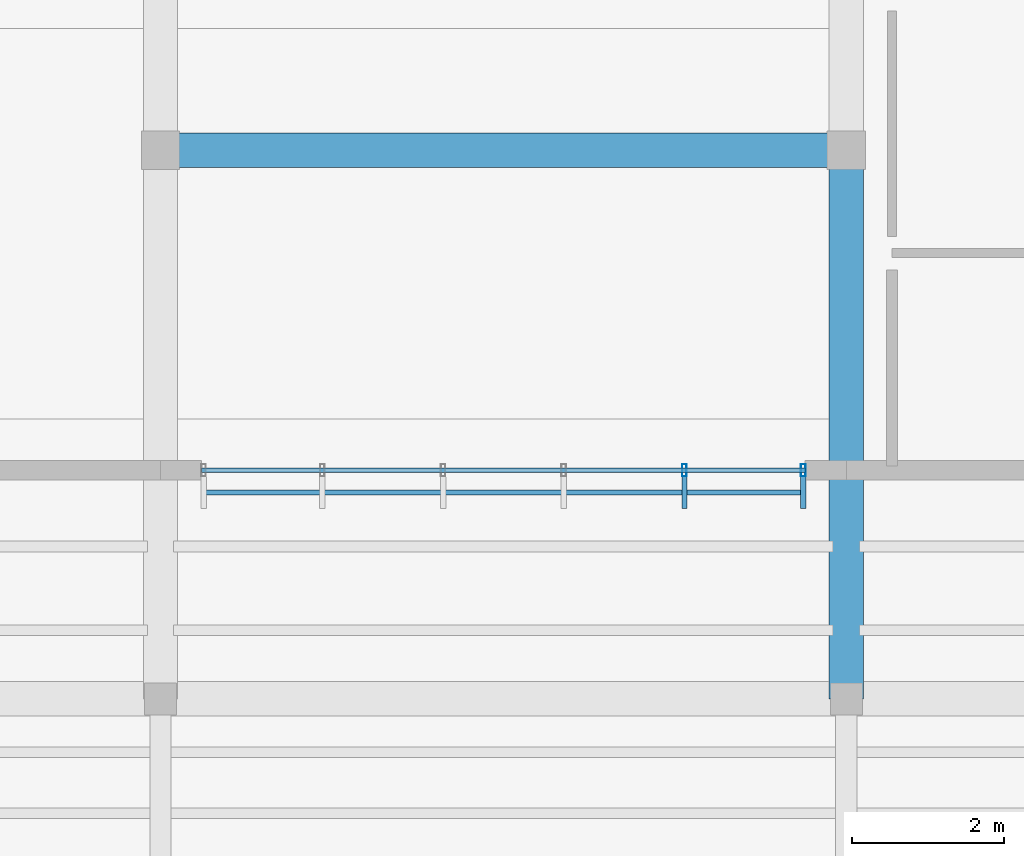
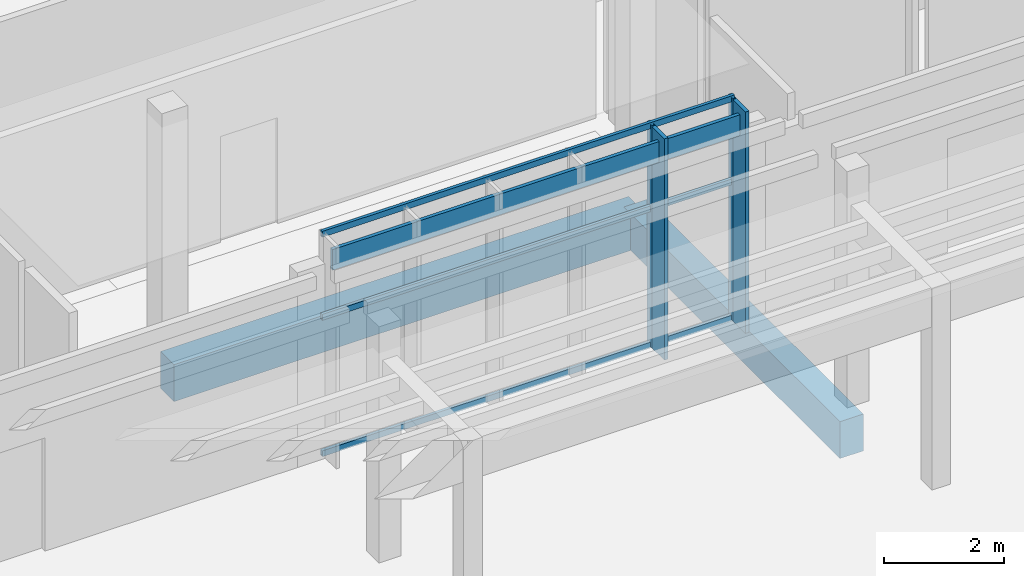
# One storey, part 35 of 151: 8 members, 2 beams, 1 element without a shape of its own.
"""IFC4 building model written with IfcOpenShell, lengths in metres."""

import ifcopenshell
import ifcopenshell.guid

model = None  # the IFC model being written
_history = None  # IfcOwnerHistory: only IFC2X3 demands one
_inside = {}  # id of a spatial element -> (the spatial element, [elements in it])
_under = {}  # id of a project, library or spatial element -> (it, [spatial elements below it])
_declared = {}  # id of a project -> (the project, [libraries it declares])
_typed = {}  # id of a type object -> (the type object, [elements of that type])
_made_of = {}  # id of a material, layer set ... -> (it, [elements and type objects made of it])


def new_model(schema):
    """Start an empty IFC model of exactly this schema.

    Asked for "IFC4X3", IfcOpenShell would pick the latest addendum, in which some entities
    have other attributes; the version numbers below select the first issue.
    IFC2X3 requires an IfcOwnerHistory on every rooted entity: one is made here for all.
    """
    global model, _history
    if schema == "IFC4X3":
        model = ifcopenshell.file(schema_version=(4, 3, 0, 0))
    else:
        model = ifcopenshell.file(schema=schema)
    _inside.clear()
    _under.clear()
    _declared.clear()
    _typed.clear()
    _made_of.clear()
    _history = None
    if model.schema == "IFC2X3":
        org = make("IfcOrganization", Name="unknown")
        user = make(
            "IfcPersonAndOrganization",
            ThePerson=make("IfcPerson", FamilyName="unknown"),
            TheOrganization=org,
        )
        app = make(
            "IfcApplication",
            ApplicationDeveloper=org,
            Version="unknown",
            ApplicationFullName="unknown",
            ApplicationIdentifier="unknown",
        )
        _history = make(
            "IfcOwnerHistory",
            OwningUser=user,
            OwningApplication=app,
            ChangeAction="ADDED",
            CreationDate=0,
        )
    return model


def make(cls, **values):
    """One entity of the class cls with the attributes given. An attribute that is None is left unset."""
    return model.create_entity(
        cls, **{name: value for name, value in values.items() if value is not None}
    )


def rooted(cls, **values):
    """An entity with a GlobalId (a new one), such as an element, a storey or a relation."""
    return make(cls, GlobalId=ifcopenshell.guid.new(), OwnerHistory=_history, **values)


def si_unit(unit_type, name, prefix=None):
    """IfcSIUnit, for example si_unit("LENGTHUNIT", "METRE", prefix="MILLI")."""
    return make("IfcSIUnit", UnitType=unit_type, Prefix=prefix, Name=name)


def assignment(units):
    """IfcUnitAssignment: the units of a project."""
    return None if units is None else make("IfcUnitAssignment", Units=units)


def point(xyz):
    """IfcCartesianPoint."""
    return None if xyz is None else make("IfcCartesianPoint", Coordinates=xyz)


def direction(xyz):
    """IfcDirection."""
    return None if xyz is None else make("IfcDirection", DirectionRatios=xyz)


def frame(location, z_axis=None, x_axis=None):
    """IfcAxis2Placement3D, a coordinate frame: its origin and axes. An axis left out is left unset."""
    return make(
        "IfcAxis2Placement3D",
        Location=point(location),
        Axis=direction(z_axis),
        RefDirection=direction(x_axis),
    )


def frame_2d(location, x_axis=None):
    """IfcAxis2Placement2D, a coordinate frame in the plane: its origin and x axis."""
    return make(
        "IfcAxis2Placement2D", Location=point(location), RefDirection=direction(x_axis)
    )


def origin():
    """The frame at (0, 0, 0) with its axes left unset."""
    return frame((0.0, 0.0, 0.0))


def origin_2d():
    """The frame at (0, 0) in the plane with its x axis left unset."""
    return frame_2d((0.0, 0.0))


def place(relative_to, where):
    """IfcLocalPlacement: puts the frame where relative to a parent placement (None: the world)."""
    return make(
        "IfcLocalPlacement", PlacementRelTo=relative_to, RelativePlacement=where
    )


def context(
    kind, dimensions, precision=None, world=None, true_north=None, identifier=None
):
    """IfcGeometricRepresentationContext, for example the 3D "Model" context."""
    return make(
        "IfcGeometricRepresentationContext",
        ContextIdentifier=identifier,
        ContextType=kind,
        CoordinateSpaceDimension=dimensions,
        Precision=precision,
        WorldCoordinateSystem=world,
        TrueNorth=true_north,
    )


def subcontext(parent, identifier, kind, view, scale=None):
    """IfcGeometricRepresentationSubContext, for example "Body" below "Model"."""
    return make(
        "IfcGeometricRepresentationSubContext",
        ContextIdentifier=identifier,
        ContextType=kind,
        ParentContext=parent,
        TargetScale=scale,
        TargetView=view,
    )


def project(units=None, contexts=None):
    """IfcProject with its units and contexts."""
    return rooted(
        "IfcProject",
        Name="project",
        RepresentationContexts=contexts,
        UnitsInContext=assignment(units),
    )


def spatial(cls, under=None, at=None, **own):
    """A site, building, storey or space (cls), placed at a placement, below another one or the project."""
    s = rooted(cls, ObjectPlacement=at, **own)
    if under is not None:
        _under.setdefault(under.id(), (under, []))[1].append(s)
    return s


def profile(cls, at=None, kind="AREA", **sizes):
    """A parametric profile (cls). Its sizes go by their IFC names, for example OverallWidth=200.0."""
    return make(cls, ProfileType=kind, Position=at, **sizes)


def rectangle(**sizes):
    """IfcRectangleProfileDef."""
    return profile("IfcRectangleProfileDef", **sizes)


def hollow_rectangle(**sizes):
    """IfcRectangleHollowProfileDef."""
    return profile("IfcRectangleHollowProfileDef", **sizes)


def extrude(swept, where, along, depth):
    """IfcExtrudedAreaSolid: the profile swept, set in the frame where, extruded along a direction by depth."""
    return make(
        "IfcExtrudedAreaSolid",
        SweptArea=swept,
        Position=where,
        ExtrudedDirection=direction(along),
        Depth=depth,
    )


def shape(context_of_items, identifier, shape_type, items):
    """IfcShapeRepresentation: the items that make up one representation, for example the "Body"."""
    return make(
        "IfcShapeRepresentation",
        ContextOfItems=context_of_items,
        RepresentationIdentifier=identifier,
        RepresentationType=shape_type,
        Items=items,
    )


def material(Name=None, Category=None):
    """IfcMaterial."""
    return make("IfcMaterial", Name=Name, Category=Category)


def material_profile(
    of_material, cross_section, Name=None, Category=None, Priority=None
):
    """IfcMaterialProfile: a cross section and its material."""
    return make(
        "IfcMaterialProfile",
        Name=Name,
        Material=of_material,
        Profile=cross_section,
        Priority=Priority,
        Category=Category,
    )


def profile_set(profiles, Name=None, composite=None):
    """IfcMaterialProfileSet."""
    return make(
        "IfcMaterialProfileSet",
        Name=Name,
        MaterialProfiles=profiles,
        CompositeProfile=composite,
    )


def made_of(thing, what):
    """Note that an element or type object is made of a material, layer set ...; save() writes the relation."""
    if what is not None:
        _made_of.setdefault(what.id(), (what, []))[1].append(thing)
    return thing


def type_object(cls, material=None, **own):
    """A type object (cls), such as IfcWallType, which elements share."""
    return made_of(rooted(cls, **own), material)


def element(
    cls,
    number,
    at=None,
    inside=None,
    cuts=None,
    type_object=None,
    material=None,
    context=None,
    identifier="Body",
    shape_type=None,
    held_by="IfcProductDefinitionShape",
    body=None,
    shapes=None,
    **own,
):
    """One element of the class cls, such as IfcWall. Its Tag is "e" and its number.

    at: its placement. inside: the storey or other place that contains it. cuts: it is an
    opening in that element (IfcRelVoidsElement). A single representation is given by context,
    identifier, shape_type and body (its items); several are given by shapes. held_by: the class
    of the entity that holds the representations. save() writes the other relations.
    """
    e = rooted(cls, Tag="e%d" % number, ObjectPlacement=at, **own)
    if body is not None:
        shapes = [shape(context, identifier, shape_type, body)]
    if shapes is not None:
        e.Representation = make(held_by, Representations=shapes)
    if inside is not None:
        _inside.setdefault(inside.id(), (inside, []))[1].append(e)
    if cuts is not None:
        rooted(
            "IfcRelVoidsElement", RelatingBuildingElement=cuts, RelatedOpeningElement=e
        )
    if type_object is not None:
        _typed.setdefault(type_object.id(), (type_object, []))[1].append(e)
    return made_of(e, material)


def aggregate(whole, parts):
    """IfcRelAggregates: a whole, such as a stair, and the parts it consists of."""
    return rooted("IfcRelAggregates", RelatingObject=whole, RelatedObjects=parts)


def save(model, path):
    """Write the relations noted so far, then the file.

    IfcRelAggregates (storeys below a building ...), IfcRelContainedInSpatialStructure (elements
    in a storey), IfcRelDefinesByType, IfcRelAssociatesMaterial and IfcRelDeclares: one each for
    every whole, place, type object, material and project.
    """
    for whole, parts in _under.values():
        aggregate(whole, parts)
    for where, things in _inside.values():
        rooted(
            "IfcRelContainedInSpatialStructure",
            RelatedElements=things,
            RelatingStructure=where,
        )
    for kind, things in _typed.values():
        rooted("IfcRelDefinesByType", RelatedObjects=things, RelatingType=kind)
    for what, things in _made_of.values():
        rooted("IfcRelAssociatesMaterial", RelatedObjects=things, RelatingMaterial=what)
    for by, libraries in _declared.values():
        rooted("IfcRelDeclares", RelatingContext=by, RelatedDefinitions=libraries)
    model.write(path)


model = new_model("IFC4")

# Units and contexts
model_context = context("Model", 3, precision=1e-05, world=origin(), true_north=direction((0.0, 1.0)))
body_context = subcontext(model_context, "Body", "Model", "MODEL_VIEW")
ifc_project = project(units=[si_unit("LENGTHUNIT", "METRE"), si_unit("AREAUNIT", "SQUARE_METRE"), si_unit("VOLUMEUNIT", "CUBIC_METRE"), si_unit("PLANEANGLEUNIT", "RADIAN"), si_unit("MASSUNIT", "GRAM", prefix="KILO")], contexts=[model_context])

# Site, building, storey
site_placement = place(None, origin())
site = spatial("IfcSite", under=ifc_project, at=site_placement, CompositionType="ELEMENT")
building_placement = place(site_placement, origin())
building = spatial("IfcBuilding", under=site, at=building_placement, Name="Chiffa Square Polytechnic", CompositionType="ELEMENT")
storey_placement = place(building_placement, origin())
storey = spatial("IfcBuildingStorey", under=building, at=storey_placement, Name="L00", CompositionType="ELEMENT", Elevation=0.0)

# Curtain wall, members
ifc_material_1 = material(Name="Aluminium EN AW-6060 T66 and glulam shading", Category="wood")
curtain_wall_type = type_object("IfcCurtainWallType", Name="CW-VERT-300X380", PredefinedType="USERDEFINED", material=ifc_material_1)
curtain_wall_placement = place(storey_placement, origin())
curtain_wall = element("IfcCurtainWall", 1, at=curtain_wall_placement, inside=storey, type_object=curtain_wall_type, Name="Curtain wall CW-V4-L00-179", ObjectType="CURTAIN WALL", PredefinedType="USERDEFINED")
ifc_material_2 = material(Name="Aluminium EN AW-6060 T66", Category="aluminium")
ifc_material_profile_1 = material_profile(ifc_material_2, hollow_rectangle(XDim=0.06005859375, YDim=0.159912109375, WallThickness=0.00390625, at=origin_2d()), Name="ALU 60x160x4")
ifc_profile_set_1 = profile_set([ifc_material_profile_1], Name="Aluminium EN AW-6060 T66")
member_type_1 = type_object("IfcMemberType", Name="CWM-ALU-65X150", PredefinedType="MULLION", material=ifc_profile_set_1)
member_1_placement = place(storey_placement, frame((82.47607421875, 24.60009765625, 0.0), z_axis=(0.0, 0.0, 1.0), x_axis=(1.0, 0.0, 0.0)))
member_1 = element("IfcMember", 2, at=member_1_placement, type_object=member_type_1, Name="Curtain wall mullion CW-V4-L00-179-M04", PredefinedType="MULLION", context=body_context, shape_type="SweptSolid", body=[
    extrude(hollow_rectangle(XDim=0.06005859375, YDim=0.159912109375, WallThickness=0.00390625, at=origin_2d()), origin(), (0.0, 0.0, 1.0), 4.52001953125),
])
member_2_placement = place(storey_placement, frame((84.034912109375, 24.60009765625, 0.0), z_axis=(0.0, 0.0, 1.0), x_axis=(1.0, 0.0, 0.0)))
member_2 = element("IfcMember", 3, at=member_2_placement, type_object=member_type_1, Name="Curtain wall mullion CW-V4-L00-179-M05", PredefinedType="MULLION", context=body_context, shape_type="SweptSolid", body=[
    extrude(hollow_rectangle(XDim=0.06005859375, YDim=0.159912109375, WallThickness=0.00390625, at=origin_2d()), origin(), (0.0, 0.0, 1.0), 4.52001953125),
])
ifc_material_3 = material(Name="Glulam GL28h", Category="wood")
ifc_material_profile_2 = material_profile(ifc_material_3, rectangle(XDim=0.070068359375, YDim=0.419921875, at=origin_2d()), Name="GL28h 70x420")
ifc_profile_set_2 = profile_set([ifc_material_profile_2], Name="Glulam GL28h")
member_type_2 = type_object("IfcMemberType", Name="CWM-GL-70X420", PredefinedType="MULLION", material=ifc_profile_set_2)
member_3_placement = place(storey_placement, frame((82.47607421875, 24.30810546875, 0.010009765625), z_axis=(0.0, 0.0, 1.0), x_axis=(1.0, 0.0, 0.0)))
member_3 = element("IfcMember", 4, at=member_3_placement, type_object=member_type_2, Name="Exterior glulam solar fin CW-V4-L00-179-FN04", PredefinedType="MULLION", context=body_context, shape_type="SweptSolid", body=[
    extrude(rectangle(XDim=0.070068359375, YDim=0.419921875, at=origin_2d()), origin(), (0.0, 0.0, 1.0), 4.5),
])
member_4_placement = place(storey_placement, frame((84.034912109375, 24.30810546875, 0.010009765625), z_axis=(0.0, 0.0, 1.0), x_axis=(1.0, 0.0, 0.0)))
member_4 = element("IfcMember", 5, at=member_4_placement, type_object=member_type_2, Name="Exterior glulam solar fin CW-V4-L00-179-FN05", PredefinedType="MULLION", context=body_context, shape_type="SweptSolid", body=[
    extrude(rectangle(XDim=0.070068359375, YDim=0.419921875, at=origin_2d()), origin(), (0.0, 0.0, 1.0), 4.5),
])
ifc_material_profile_3 = material_profile(ifc_material_2, hollow_rectangle(XDim=0.06005859375, YDim=0.1201171875, WallThickness=0.00390625, at=origin_2d()), Name="ALU 60x120x4")
ifc_profile_set_3 = profile_set([ifc_material_profile_3], Name="Aluminium EN AW-6060 T66")
member_type_3 = type_object("IfcMemberType", Name="CWT-ALU-65X120", PredefinedType="USERDEFINED", material=ifc_profile_set_3)
member_5_placement = place(storey_placement, frame((76.137939453125, 24.60009765625, 0.030029296875), z_axis=(1.0, 0.0, 0.0), x_axis=(0.0, 1.0, 0.0)))
member_5 = element("IfcMember", 6, at=member_5_placement, type_object=member_type_3, Name="Curtain wall transom CW-V4-L00-179-T01", ObjectType="TRANSOM", PredefinedType="USERDEFINED", context=body_context, shape_type="SweptSolid", body=[
    extrude(hollow_rectangle(XDim=0.06005859375, YDim=0.1201171875, WallThickness=0.00390625, at=origin_2d()), origin(), (0.0, 0.0, 1.0), 7.924072265625),
])
member_6_placement = place(storey_placement, frame((76.137939453125, 24.60009765625, 2.802001953125), z_axis=(1.0, 0.0, 0.0), x_axis=(0.0, 1.0, 0.0)))
member_6 = element("IfcMember", 7, at=member_6_placement, type_object=member_type_3, Name="Curtain wall transom CW-V4-L00-179-T02", ObjectType="TRANSOM", PredefinedType="USERDEFINED", context=body_context, shape_type="SweptSolid", body=[
    extrude(hollow_rectangle(XDim=0.06005859375, YDim=0.1201171875, WallThickness=0.00390625, at=origin_2d()), origin(), (0.0, 0.0, 1.0), 7.924072265625),
])
member_7_placement = place(storey_placement, frame((76.137939453125, 24.60009765625, 4.489990234375), z_axis=(1.0, 0.0, 0.0), x_axis=(0.0, 1.0, 0.0)))
member_7 = element("IfcMember", 8, at=member_7_placement, type_object=member_type_3, Name="Curtain wall transom CW-V4-L00-179-T03", ObjectType="TRANSOM", PredefinedType="USERDEFINED", context=body_context, shape_type="SweptSolid", body=[
    extrude(hollow_rectangle(XDim=0.06005859375, YDim=0.1201171875, WallThickness=0.00390625, at=origin_2d()), origin(), (0.0, 0.0, 1.0), 7.924072265625),
])
ifc_material_profile_4 = material_profile(ifc_material_3, rectangle(XDim=0.070068359375, YDim=0.419921875, at=origin_2d()), Name="GL28h 70x420")
ifc_profile_set_4 = profile_set([ifc_material_profile_4], Name="Glulam GL28h")
member_type_4 = type_object("IfcMemberType", Name="CWT-GL-70X420", PredefinedType="USERDEFINED", material=ifc_profile_set_4)
member_8_placement = place(storey_placement, frame((76.1650390625, 24.30810546875, 4.139892578125), z_axis=(1.0, 0.0, 0.0), x_axis=(0.0, 1.0, 0.0)))
member_8 = element("IfcMember", 9, at=member_8_placement, type_object=member_type_4, Name="Exterior glulam brise-soleil CW-V4-L00-179-BS01", ObjectType="TRANSOM", PredefinedType="USERDEFINED", context=body_context, shape_type="SweptSolid", body=[
    extrude(rectangle(XDim=0.070068359375, YDim=0.419921875, at=origin_2d()), origin(), (0.0, 0.0, 1.0), 7.869873046875),
])
aggregate(curtain_wall, [member_1, member_3, member_2, member_4, member_5, member_6, member_7, member_8])

# Beams
ifc_material_4 = material(Name="Concrete C35/45", Category="concrete")
ifc_material_profile_5 = material_profile(ifc_material_4, rectangle(XDim=0.449951171875, YDim=0.75, at=origin_2d()), Name="RC 450x750")
ifc_profile_set_5 = profile_set([ifc_material_profile_5], Name="Concrete C35/45")
beam_type = type_object("IfcBeamType", Name="GB-RC-450X750", PredefinedType="BEAM", material=ifc_profile_set_5)
beam_1_placement = place(storey_placement, frame((75.60009765625, 28.800048828125, -0.77490234375), z_axis=(1.0, 0.0, 0.0), x_axis=(0.0, 1.0, 0.0)))
element("IfcBeam", 10, at=beam_1_placement, inside=storey, type_object=beam_type, Name="Ground tie beam GB-V4-X-104", PredefinedType="BEAM", context=body_context, shape_type="SweptSolid", body=[
    extrude(rectangle(XDim=0.449951171875, YDim=0.75, at=origin_2d()), origin(), (0.0, 0.0, 1.0), 9.0),
])
beam_2_placement = place(storey_placement, frame((84.60009765625, 21.60009765625, -0.77490234375), z_axis=(0.0, 1.0, 0.0), x_axis=(-1.0, 0.0, 0.0)))
element("IfcBeam", 11, at=beam_2_placement, inside=storey, type_object=beam_type, Name="Ground tie beam GB-V4-Y-133", PredefinedType="BEAM", context=body_context, shape_type="SweptSolid", body=[
    extrude(rectangle(XDim=0.449951171875, YDim=0.75, at=origin_2d()), origin(), (0.0, 0.0, 1.0), 7.199951171875),
])

save(model, "model.ifc")
